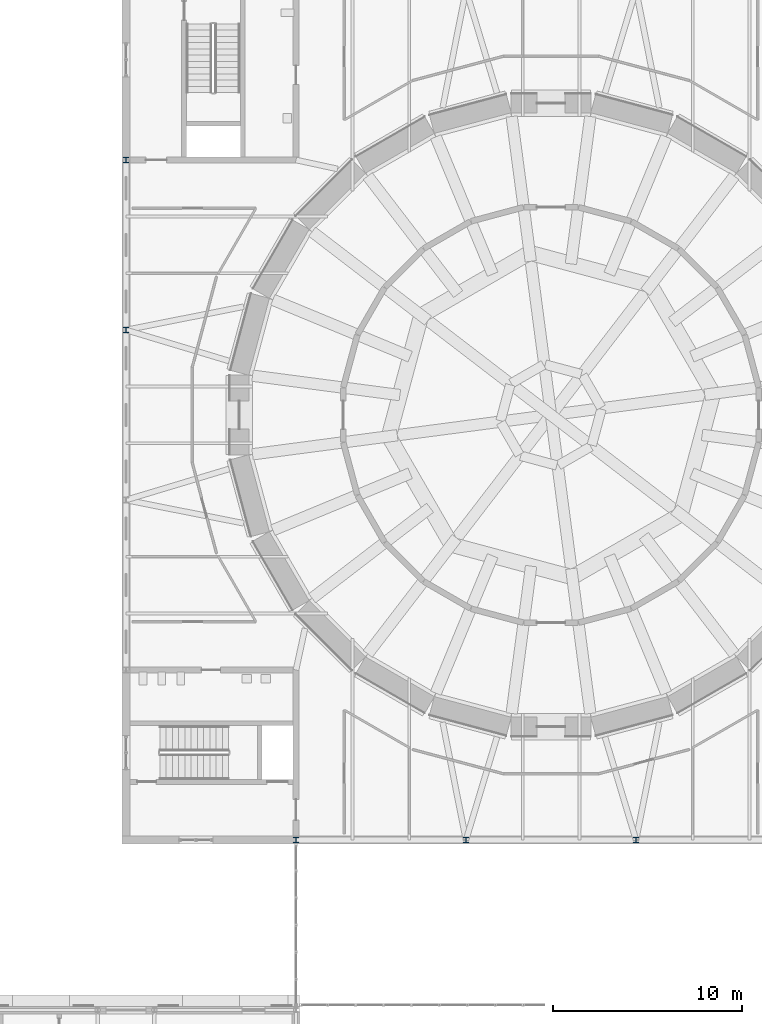
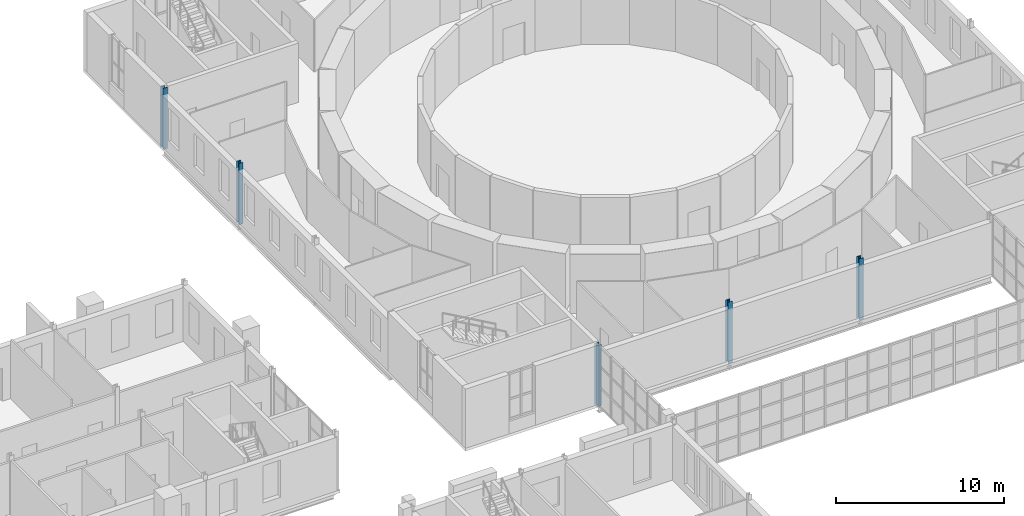
# One storey, part 11 of 131: 5 columns.
"""IFC4 building model written with IfcOpenShell, lengths in metres."""

import ifcopenshell
import ifcopenshell.guid

model = None  # the IFC model being written
_history = None  # IfcOwnerHistory: only IFC2X3 demands one
_inside = {}  # id of a spatial element -> (the spatial element, [elements in it])
_under = {}  # id of a project, library or spatial element -> (it, [spatial elements below it])
_declared = {}  # id of a project -> (the project, [libraries it declares])
_typed = {}  # id of a type object -> (the type object, [elements of that type])
_made_of = {}  # id of a material, layer set ... -> (it, [elements and type objects made of it])


def new_model(schema):
    """Start an empty IFC model of exactly this schema.

    Asked for "IFC4X3", IfcOpenShell would pick the latest addendum, in which some entities
    have other attributes; the version numbers below select the first issue.
    IFC2X3 requires an IfcOwnerHistory on every rooted entity: one is made here for all.
    """
    global model, _history
    if schema == "IFC4X3":
        model = ifcopenshell.file(schema_version=(4, 3, 0, 0))
    else:
        model = ifcopenshell.file(schema=schema)
    _inside.clear()
    _under.clear()
    _declared.clear()
    _typed.clear()
    _made_of.clear()
    _history = None
    if model.schema == "IFC2X3":
        org = make("IfcOrganization", Name="unknown")
        user = make(
            "IfcPersonAndOrganization",
            ThePerson=make("IfcPerson", FamilyName="unknown"),
            TheOrganization=org,
        )
        app = make(
            "IfcApplication",
            ApplicationDeveloper=org,
            Version="unknown",
            ApplicationFullName="unknown",
            ApplicationIdentifier="unknown",
        )
        _history = make(
            "IfcOwnerHistory",
            OwningUser=user,
            OwningApplication=app,
            ChangeAction="ADDED",
            CreationDate=0,
        )
    return model


def make(cls, **values):
    """One entity of the class cls with the attributes given. An attribute that is None is left unset."""
    return model.create_entity(
        cls, **{name: value for name, value in values.items() if value is not None}
    )


def rooted(cls, **values):
    """An entity with a GlobalId (a new one), such as an element, a storey or a relation."""
    return make(cls, GlobalId=ifcopenshell.guid.new(), OwnerHistory=_history, **values)


def si_unit(unit_type, name, prefix=None):
    """IfcSIUnit, for example si_unit("LENGTHUNIT", "METRE", prefix="MILLI")."""
    return make("IfcSIUnit", UnitType=unit_type, Prefix=prefix, Name=name)


def assignment(units):
    """IfcUnitAssignment: the units of a project."""
    return None if units is None else make("IfcUnitAssignment", Units=units)


def point(xyz):
    """IfcCartesianPoint."""
    return None if xyz is None else make("IfcCartesianPoint", Coordinates=xyz)


def direction(xyz):
    """IfcDirection."""
    return None if xyz is None else make("IfcDirection", DirectionRatios=xyz)


def frame(location, z_axis=None, x_axis=None):
    """IfcAxis2Placement3D, a coordinate frame: its origin and axes. An axis left out is left unset."""
    return make(
        "IfcAxis2Placement3D",
        Location=point(location),
        Axis=direction(z_axis),
        RefDirection=direction(x_axis),
    )


def frame_2d(location, x_axis=None):
    """IfcAxis2Placement2D, a coordinate frame in the plane: its origin and x axis."""
    return make(
        "IfcAxis2Placement2D", Location=point(location), RefDirection=direction(x_axis)
    )


def origin():
    """The frame at (0, 0, 0) with its axes left unset."""
    return frame((0.0, 0.0, 0.0))


def origin_2d():
    """The frame at (0, 0) in the plane with its x axis left unset."""
    return frame_2d((0.0, 0.0))


def place(relative_to, where):
    """IfcLocalPlacement: puts the frame where relative to a parent placement (None: the world)."""
    return make(
        "IfcLocalPlacement", PlacementRelTo=relative_to, RelativePlacement=where
    )


def context(
    kind, dimensions, precision=None, world=None, true_north=None, identifier=None
):
    """IfcGeometricRepresentationContext, for example the 3D "Model" context."""
    return make(
        "IfcGeometricRepresentationContext",
        ContextIdentifier=identifier,
        ContextType=kind,
        CoordinateSpaceDimension=dimensions,
        Precision=precision,
        WorldCoordinateSystem=world,
        TrueNorth=true_north,
    )


def subcontext(parent, identifier, kind, view, scale=None):
    """IfcGeometricRepresentationSubContext, for example "Body" below "Model"."""
    return make(
        "IfcGeometricRepresentationSubContext",
        ContextIdentifier=identifier,
        ContextType=kind,
        ParentContext=parent,
        TargetScale=scale,
        TargetView=view,
    )


def project(units=None, contexts=None):
    """IfcProject with its units and contexts."""
    return rooted(
        "IfcProject",
        Name="project",
        RepresentationContexts=contexts,
        UnitsInContext=assignment(units),
    )


def spatial(cls, under=None, at=None, **own):
    """A site, building, storey or space (cls), placed at a placement, below another one or the project."""
    s = rooted(cls, ObjectPlacement=at, **own)
    if under is not None:
        _under.setdefault(under.id(), (under, []))[1].append(s)
    return s


def profile(cls, at=None, kind="AREA", **sizes):
    """A parametric profile (cls). Its sizes go by their IFC names, for example OverallWidth=200.0."""
    return make(cls, ProfileType=kind, Position=at, **sizes)


def i_section(**sizes):
    """IfcIShapeProfileDef."""
    return profile("IfcIShapeProfileDef", **sizes)


def extrude(swept, where, along, depth):
    """IfcExtrudedAreaSolid: the profile swept, set in the frame where, extruded along a direction by depth."""
    return make(
        "IfcExtrudedAreaSolid",
        SweptArea=swept,
        Position=where,
        ExtrudedDirection=direction(along),
        Depth=depth,
    )


def shape(context_of_items, identifier, shape_type, items):
    """IfcShapeRepresentation: the items that make up one representation, for example the "Body"."""
    return make(
        "IfcShapeRepresentation",
        ContextOfItems=context_of_items,
        RepresentationIdentifier=identifier,
        RepresentationType=shape_type,
        Items=items,
    )


def material(Name=None, Category=None):
    """IfcMaterial."""
    return make("IfcMaterial", Name=Name, Category=Category)


def material_profile(
    of_material, cross_section, Name=None, Category=None, Priority=None
):
    """IfcMaterialProfile: a cross section and its material."""
    return make(
        "IfcMaterialProfile",
        Name=Name,
        Material=of_material,
        Profile=cross_section,
        Priority=Priority,
        Category=Category,
    )


def profile_set(profiles, Name=None, composite=None):
    """IfcMaterialProfileSet."""
    return make(
        "IfcMaterialProfileSet",
        Name=Name,
        MaterialProfiles=profiles,
        CompositeProfile=composite,
    )


def made_of(thing, what):
    """Note that an element or type object is made of a material, layer set ...; save() writes the relation."""
    if what is not None:
        _made_of.setdefault(what.id(), (what, []))[1].append(thing)
    return thing


def type_object(cls, material=None, **own):
    """A type object (cls), such as IfcWallType, which elements share."""
    return made_of(rooted(cls, **own), material)


def element(
    cls,
    number,
    at=None,
    inside=None,
    cuts=None,
    type_object=None,
    material=None,
    context=None,
    identifier="Body",
    shape_type=None,
    held_by="IfcProductDefinitionShape",
    body=None,
    shapes=None,
    **own,
):
    """One element of the class cls, such as IfcWall. Its Tag is "e" and its number.

    at: its placement. inside: the storey or other place that contains it. cuts: it is an
    opening in that element (IfcRelVoidsElement). A single representation is given by context,
    identifier, shape_type and body (its items); several are given by shapes. held_by: the class
    of the entity that holds the representations. save() writes the other relations.
    """
    e = rooted(cls, Tag="e%d" % number, ObjectPlacement=at, **own)
    if body is not None:
        shapes = [shape(context, identifier, shape_type, body)]
    if shapes is not None:
        e.Representation = make(held_by, Representations=shapes)
    if inside is not None:
        _inside.setdefault(inside.id(), (inside, []))[1].append(e)
    if cuts is not None:
        rooted(
            "IfcRelVoidsElement", RelatingBuildingElement=cuts, RelatedOpeningElement=e
        )
    if type_object is not None:
        _typed.setdefault(type_object.id(), (type_object, []))[1].append(e)
    return made_of(e, material)


def aggregate(whole, parts):
    """IfcRelAggregates: a whole, such as a stair, and the parts it consists of."""
    return rooted("IfcRelAggregates", RelatingObject=whole, RelatedObjects=parts)


def save(model, path):
    """Write the relations noted so far, then the file.

    IfcRelAggregates (storeys below a building ...), IfcRelContainedInSpatialStructure (elements
    in a storey), IfcRelDefinesByType, IfcRelAssociatesMaterial and IfcRelDeclares: one each for
    every whole, place, type object, material and project.
    """
    for whole, parts in _under.values():
        aggregate(whole, parts)
    for where, things in _inside.values():
        rooted(
            "IfcRelContainedInSpatialStructure",
            RelatedElements=things,
            RelatingStructure=where,
        )
    for kind, things in _typed.values():
        rooted("IfcRelDefinesByType", RelatedObjects=things, RelatingType=kind)
    for what, things in _made_of.values():
        rooted("IfcRelAssociatesMaterial", RelatedObjects=things, RelatingMaterial=what)
    for by, libraries in _declared.values():
        rooted("IfcRelDeclares", RelatingContext=by, RelatedDefinitions=libraries)
    model.write(path)


model = new_model("IFC4")

# Units and contexts
model_context = context("Model", 3, precision=1e-05, world=origin(), true_north=direction((0.0, 1.0)))
body_context = subcontext(model_context, "Body", "Model", "MODEL_VIEW")
ifc_project = project(units=[si_unit("LENGTHUNIT", "METRE"), si_unit("AREAUNIT", "SQUARE_METRE"), si_unit("VOLUMEUNIT", "CUBIC_METRE"), si_unit("PLANEANGLEUNIT", "RADIAN"), si_unit("MASSUNIT", "GRAM", prefix="KILO")], contexts=[model_context])

# Site, building, storey
site_placement = place(None, origin())
site = spatial("IfcSite", under=ifc_project, at=site_placement, CompositionType="ELEMENT")
building_placement = place(site_placement, origin())
building = spatial("IfcBuilding", under=site, at=building_placement, Name="Golden Quay Civic Hall", CompositionType="ELEMENT")
storey_placement = place(building_placement, frame((0.0, 0.0, 9.89990234375)))
storey = spatial("IfcBuildingStorey", under=building, at=storey_placement, Name="L02", CompositionType="ELEMENT", Elevation=9.89990234375)

# Columns
ifc_material = material(Name="Steel S355", Category="steel")
ifc_material_profile = material_profile(ifc_material, i_section(OverallWidth=0.300048828125, OverallDepth=0.300048828125, WebThickness=0.010986328125, FlangeThickness=0.01904296875, FilletRadius=0.027099609375, at=origin_2d()), Name="HEB 300")
ifc_profile_set = profile_set([ifc_material_profile], Name="Steel S355")
column_type = type_object("IfcColumnType", Name="Steel column HEB 300", PredefinedType="COLUMN", material=ifc_profile_set)
for number, where, z_axis, x_axis, name in (
    (1, (81.0, 63.0, -0.199951171875), (0.0, 0.0, 1.0), (1.0, 0.0, 0.0), "Base column 1"),
    (2, (90.0, 63.0, -0.199951171875), (0.0, 0.0, 1.0), (1.0, 0.0, 0.0), "Base column 2"),
    (3, (63.0, 90.0, -0.199951171875), (0.0, 0.0, 1.0), (1.0, 0.0, 0.0), "Base column 6"),
    (4, (72.0, 63.0, -0.199951171875), (0.0, 0.0, 1.0), (1.0, 0.0, 0.0), "Base column 9"),
    (5, (63.0, 99.0, -0.199951171875), (0.0, 0.0, 1.0), (1.0, 0.0, 0.0), "Base column 14"),
):
    element("IfcColumn", number, at=place(storey_placement, frame(where, z_axis=z_axis, x_axis=x_axis)), inside=storey, type_object=column_type, Name=name, PredefinedType="COLUMN", context=body_context, shape_type="SweptSolid", body=[
        extrude(i_section(OverallWidth=0.300048828125, OverallDepth=0.300048828125, WebThickness=0.010986328125, FlangeThickness=0.01904296875, FilletRadius=0.027099609375, at=origin_2d()), origin(), (0.0, 0.0, 1.0), 4.449951171875),
    ])

save(model, "model.ifc")
